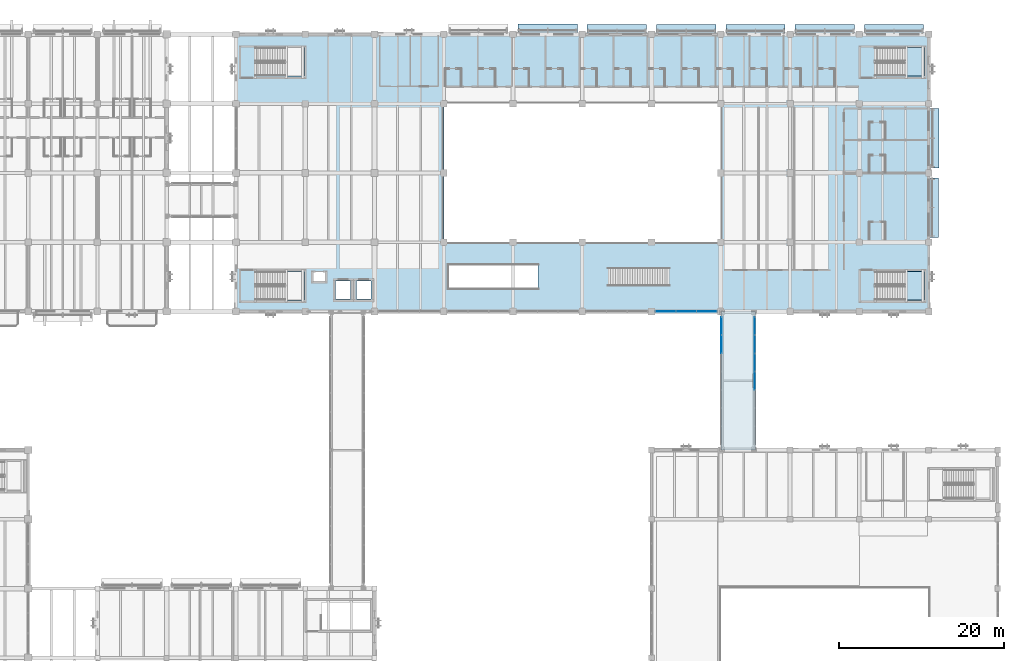
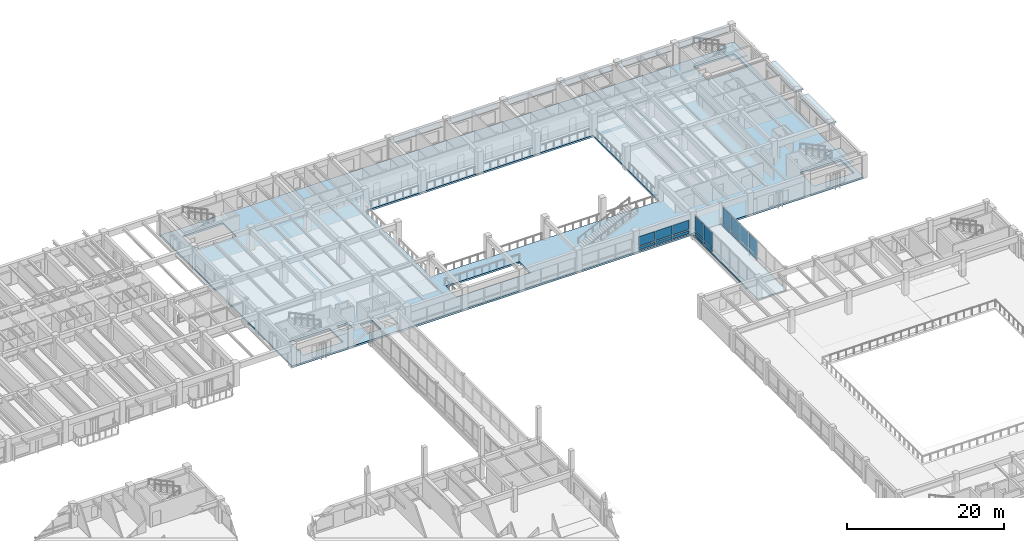
# One storey, part 58 of 118: 26 plates, 4 slabs, 13 elements without a shape of their own.
"""IFC4 building model written with IfcOpenShell, lengths in metres."""

from ifc_helpers import new_model, si_unit, direction, frame, origin, origin_2d, place, context, subcontext, project, spatial, polyline, rectangle, outline, extrude, material, layer, layer_set, type_object, element, aggregate, save


model = new_model("IFC4")

# Units and contexts
model_context = context("Model", 3, precision=1e-05, world=origin(), true_north=direction((0.0, 1.0)))
body_context = subcontext(model_context, "Body", "Model", "MODEL_VIEW")
ifc_project = project(units=[si_unit("LENGTHUNIT", "METRE"), si_unit("AREAUNIT", "SQUARE_METRE"), si_unit("VOLUMEUNIT", "CUBIC_METRE"), si_unit("PLANEANGLEUNIT", "RADIAN"), si_unit("MASSUNIT", "GRAM", prefix="KILO")], contexts=[model_context])

# Site, building, storey
site_placement = place(None, origin())
site = spatial("IfcSite", under=ifc_project, at=site_placement, CompositionType="ELEMENT")
building_placement = place(site_placement, origin())
building = spatial("IfcBuilding", under=site, at=building_placement, Name="Cumbredor Promenade Congress Hotel", CompositionType="ELEMENT")
storey_placement = place(building_placement, frame((0.0, 0.0, 3.919921875)))
storey = spatial("IfcBuildingStorey", under=building, at=storey_placement, Name="L01", CompositionType="ELEMENT", Elevation=3.919921875)

# Stair, slab
ifc_material_1 = material(Name="Concrete C40/50", Category="concrete")
stair_type = type_object("IfcStairType", Name="Protected Dog-Leg Exit Stair ST-T3 1650mm", PredefinedType="HALF_TURN_STAIR", material=ifc_material_1)
stair_1_placement = place(storey_placement, origin())
stair_1 = element("IfcStair", 1, at=stair_1_placement, inside=storey, type_object=stair_type, Name="L01 Protected Exit Stair ST-14", PredefinedType="HALF_TURN_STAIR")
ifc_layer_1 = layer(ifc_material_1, 0.199951171875, Name="Concrete C40/50", Category="concrete")
ifc_layer_set_1 = layer_set([ifc_layer_1], Name="Concrete C40/50")
slab_type_1 = type_object("IfcSlabType", Name="Concrete Stair Landing Slab 200mm", PredefinedType="LANDING", material=ifc_layer_set_1)
slab_1_placement = place(storey_placement, frame((0.0, 0.0, 1.6201171875)))
slab_1 = element("IfcSlab", 2, at=slab_1_placement, type_object=slab_type_1, Name="ST-14 landing 1", PredefinedType="LANDING", context=body_context, shape_type="SweptSolid", body=[
    extrude(outline(polyline([(173.52001953125, 85.39990234375), (175.820068359375, 85.39990234375), (175.820068359375, 88.85009765625), (173.52001953125, 88.85009765625), (173.52001953125, 85.39990234375)])), origin(), (0.0, 0.0, 1.0), 0.199951171875),
])
aggregate(stair_1, [slab_1])

stair_2_placement = place(storey_placement, origin())
stair_2 = element("IfcStair", 3, at=stair_2_placement, inside=storey, type_object=stair_type, Name="L01 Protected Exit Stair ST-16", PredefinedType="HALF_TURN_STAIR")
slab_2_placement = place(storey_placement, frame((0.0, 0.0, 1.6201171875)))
slab_2 = element("IfcSlab", 4, at=slab_2_placement, type_object=slab_type_1, Name="ST-16 landing 1", PredefinedType="LANDING", context=body_context, shape_type="SweptSolid", body=[
    extrude(outline(polyline([(173.52001953125, 112.550048828125), (175.820068359375, 112.550048828125), (175.820068359375, 116.0), (173.52001953125, 116.0), (173.52001953125, 112.550048828125)])), origin(), (0.0, 0.0, 1.0), 0.199951171875),
])
aggregate(stair_2, [slab_2])

# Curtain wall, plates
ifc_material_2 = material(Name="Thermally broken anodized aluminium and low-E glass", Category="aluminium")
curtain_wall_type_1 = type_object("IfcCurtainWallType", Name="Unitised Bridge Glazing Screen CW-05", PredefinedType="NOTDEFINED", material=ifc_material_2)
curtain_wall_1_placement = place(storey_placement, origin())
curtain_wall_1 = element("IfcCurtainWall", 5, at=curtain_wall_1_placement, inside=storey, type_object=curtain_wall_type_1, Name="L01 East Ballroom-to-Forum Glazed Bridge West Glazing Screen", PredefinedType="NOTDEFINED")
ifc_material_3 = material(Name="Laminated low-E solar-control glass", Category="glass")
ifc_layer_2 = layer(ifc_material_3, 0.030029296875, Name="Laminated low-E solar-control glass", Category="glass")
ifc_layer_set_2 = layer_set([ifc_layer_2], Name="Laminated low-E solar-control glass")
plate_type_1 = type_object("IfcPlateType", Name="Glazed Bridge Panel PNL-04", PredefinedType="CURTAIN_PANEL", material=ifc_layer_set_2)
plate_1_placement = place(storey_placement, frame((151.280029296875, 80.02294921875, 0.78515625), z_axis=(0.0, 0.0, 1.0), x_axis=(0.0, 1.0, 0.0)))
plate_1 = element("IfcPlate", 6, at=plate_1_placement, type_object=plate_type_1, Name="L01 East Ballroom-to-Forum Glazed Bridge West Glazing Screen Glazing Panel 6.2", PredefinedType="CURTAIN_PANEL", context=body_context, shape_type="SweptSolid", body=[
    extrude(rectangle(XDim=2.146484375, YDim=0.030029296875, at=origin_2d()), origin(), (0.0, 0.0, 1.0), 2.340087890625),
])
plate_2_placement = place(storey_placement, frame((151.280029296875, 82.234375, 0.78515625), z_axis=(0.0, 0.0, 1.0), x_axis=(0.0, 1.0, 0.0)))
plate_2 = element("IfcPlate", 7, at=plate_2_placement, type_object=plate_type_1, Name="L01 East Ballroom-to-Forum Glazed Bridge West Glazing Screen Glazing Panel 7.2", PredefinedType="CURTAIN_PANEL", context=body_context, shape_type="SweptSolid", body=[
    extrude(rectangle(XDim=2.146484375, YDim=0.030029296875, at=origin_2d()), origin(), (0.0, 0.0, 1.0), 2.340087890625),
])

curtain_wall_2_placement = place(storey_placement, origin())
curtain_wall_2 = element("IfcCurtainWall", 8, at=curtain_wall_2_placement, inside=storey, type_object=curtain_wall_type_1, Name="L01 East Ballroom-to-Forum Glazed Bridge East Glazing Screen", PredefinedType="NOTDEFINED")
plate_3_placement = place(storey_placement, frame((155.320068359375, 75.60009765625, 0.78515625), z_axis=(0.0, 0.0, 1.0), x_axis=(0.0, 1.0, 0.0)))
plate_3 = element("IfcPlate", 9, at=plate_3_placement, type_object=plate_type_1, Name="L01 East Ballroom-to-Forum Glazed Bridge East Glazing Screen Glazing Panel 4.2", PredefinedType="CURTAIN_PANEL", context=body_context, shape_type="SweptSolid", body=[
    extrude(rectangle(XDim=2.146484375, YDim=0.030029296875, at=origin_2d()), origin(), (0.0, 0.0, 1.0), 2.340087890625),
])
plate_4_placement = place(storey_placement, frame((155.320068359375, 77.811279296875, 0.78515625), z_axis=(0.0, 0.0, 1.0), x_axis=(0.0, 1.0, 0.0)))
plate_4 = element("IfcPlate", 10, at=plate_4_placement, type_object=plate_type_1, Name="L01 East Ballroom-to-Forum Glazed Bridge East Glazing Screen Glazing Panel 5.2", PredefinedType="CURTAIN_PANEL", context=body_context, shape_type="SweptSolid", body=[
    extrude(rectangle(XDim=2.146484375, YDim=0.030029296875, at=origin_2d()), origin(), (0.0, 0.0, 1.0), 2.340087890625),
])
plate_5_placement = place(storey_placement, frame((155.320068359375, 80.02294921875, 0.78515625), z_axis=(0.0, 0.0, 1.0), x_axis=(0.0, 1.0, 0.0)))
plate_5 = element("IfcPlate", 11, at=plate_5_placement, type_object=plate_type_1, Name="L01 East Ballroom-to-Forum Glazed Bridge East Glazing Screen Glazing Panel 6.2", PredefinedType="CURTAIN_PANEL", context=body_context, shape_type="SweptSolid", body=[
    extrude(rectangle(XDim=2.146484375, YDim=0.030029296875, at=origin_2d()), origin(), (0.0, 0.0, 1.0), 2.340087890625),
])
plate_6_placement = place(storey_placement, frame((155.320068359375, 82.234375, 0.78515625), z_axis=(0.0, 0.0, 1.0), x_axis=(0.0, 1.0, 0.0)))
plate_6 = element("IfcPlate", 12, at=plate_6_placement, type_object=plate_type_1, Name="L01 East Ballroom-to-Forum Glazed Bridge East Glazing Screen Glazing Panel 7.2", PredefinedType="CURTAIN_PANEL", context=body_context, shape_type="SweptSolid", body=[
    extrude(rectangle(XDim=2.146484375, YDim=0.030029296875, at=origin_2d()), origin(), (0.0, 0.0, 1.0), 2.340087890625),
])

curtain_wall_type_2 = type_object("IfcCurtainWallType", Name="Unitised Forum Curtain Wall CW-02", PredefinedType="NOTDEFINED", material=ifc_material_2)
curtain_wall_3_placement = place(storey_placement, origin())
curtain_wall_3 = element("IfcCurtainWall", 13, at=curtain_wall_3_placement, inside=storey, type_object=curtain_wall_type_2, Name="L01 Pre-Function and Breakout Meeting Forum South Curtain Wall 7", PredefinedType="NOTDEFINED")
ifc_layer_3 = layer(ifc_material_3, 0.028076171875, Name="Laminated low-E solar-control glass", Category="glass")
ifc_layer_set_3 = layer_set([ifc_layer_3], Name="Laminated low-E solar-control glass")
plate_type_2 = type_object("IfcPlateType", Name="Glazed Vision Panel PNL-03", PredefinedType="CURTAIN_PANEL", material=ifc_layer_set_3)
plate_7_placement = place(storey_placement, frame((144.50341796875, 84.0, 0.81005859375), z_axis=(0.0, 0.0, 1.0), x_axis=(1.0, 0.0, 0.0)))
plate_7 = element("IfcPlate", 14, at=plate_7_placement, type_object=plate_type_2, Name="L01 Pre-Function and Breakout Meeting Forum South Curtain Wall 7 Glazing Panel 1.2", PredefinedType="CURTAIN_PANEL", context=body_context, shape_type="SweptSolid", body=[
    extrude(rectangle(XDim=2.416748046875, YDim=0.028076171875, at=origin_2d()), origin(), (0.0, 0.0, 1.0), 1.4599609375),
])
plate_8_placement = place(storey_placement, frame((147.0, 84.0, 0.81005859375), z_axis=(0.0, 0.0, 1.0), x_axis=(1.0, 0.0, 0.0)))
plate_8 = element("IfcPlate", 15, at=plate_8_placement, type_object=plate_type_2, Name="L01 Pre-Function and Breakout Meeting Forum South Curtain Wall 7 Glazing Panel 2.2", PredefinedType="CURTAIN_PANEL", context=body_context, shape_type="SweptSolid", body=[
    extrude(rectangle(XDim=2.41650390625, YDim=0.028076171875, at=origin_2d()), origin(), (0.0, 0.0, 1.0), 1.4599609375),
])
plate_9_placement = place(storey_placement, frame((149.49658203125, 84.0, 0.81005859375), z_axis=(0.0, 0.0, 1.0), x_axis=(1.0, 0.0, 0.0)))
plate_9 = element("IfcPlate", 16, at=plate_9_placement, type_object=plate_type_2, Name="L01 Pre-Function and Breakout Meeting Forum South Curtain Wall 7 Glazing Panel 3.2", PredefinedType="CURTAIN_PANEL", context=body_context, shape_type="SweptSolid", body=[
    extrude(rectangle(XDim=2.416748046875, YDim=0.028076171875, at=origin_2d()), origin(), (0.0, 0.0, 1.0), 1.4599609375),
])

# Curtain wall, plate
curtain_wall_type_3 = type_object("IfcCurtainWallType", Name="Solar Brise-Soleil Screen Assembly CW-07", PredefinedType="NOTDEFINED", material=ifc_material_2)
curtain_wall_4_placement = place(storey_placement, origin())
curtain_wall_4 = element("IfcCurtainWall", 17, at=curtain_wall_4_placement, inside=storey, type_object=curtain_wall_type_3, Name="L01 Hospitality Brise-Soleil Screen 009", PredefinedType="NOTDEFINED")
ifc_material_4 = material(Name="Precast concrete C40/50", Category="concrete")
ifc_layer_4 = layer(ifc_material_4, 0.14501953125, Name="Precast concrete C40/50", Category="concrete")
ifc_layer_set_4 = layer_set([ifc_layer_4], Name="Precast concrete C40/50")
plate_type_3 = type_object("IfcPlateType", Name="Horizontal Precast Sun-Hood Eyebrow Plate 145mm", PredefinedType="USERDEFINED", material=ifc_layer_set_4)
plate_10_placement = place(storey_placement, frame((130.199951171875, 118.197509765625, 2.28515625), z_axis=(0.0, 0.0, 1.0), x_axis=(1.0, 0.0, 0.0)))
plate_10 = element("IfcPlate", 18, at=plate_10_placement, type_object=plate_type_3, Name="L01 Horizontal Sun-Hood Eyebrow 009", ObjectType="SUN HOOD", PredefinedType="USERDEFINED", context=body_context, shape_type="SweptSolid", body=[
    extrude(rectangle(XDim=7.197998046875, YDim=1.35498046875, at=origin_2d()), origin(), (0.0, 0.0, 1.0), 0.14501953125),
])
aggregate(curtain_wall_4, [plate_10])

curtain_wall_5_placement = place(storey_placement, origin())
curtain_wall_5 = element("IfcCurtainWall", 19, at=curtain_wall_5_placement, inside=storey, type_object=curtain_wall_type_3, Name="L01 Hospitality Brise-Soleil Screen 010", PredefinedType="NOTDEFINED")
plate_11_placement = place(storey_placement, frame((138.60009765625, 118.14990234375, 2.28515625), z_axis=(0.0, 0.0, 1.0), x_axis=(1.0, 0.0, 0.0)))
plate_11 = element("IfcPlate", 20, at=plate_11_placement, type_object=plate_type_3, Name="L01 Horizontal Sun-Hood Eyebrow 010", ObjectType="SUN HOOD", PredefinedType="USERDEFINED", context=body_context, shape_type="SweptSolid", body=[
    extrude(rectangle(XDim=7.197998046875, YDim=1.260009765625, at=origin_2d()), origin(), (0.0, 0.0, 1.0), 0.14501953125),
])
aggregate(curtain_wall_5, [plate_11])

curtain_wall_6_placement = place(storey_placement, origin())
curtain_wall_6 = element("IfcCurtainWall", 21, at=curtain_wall_6_placement, inside=storey, type_object=curtain_wall_type_3, Name="L01 Hospitality Brise-Soleil Screen 011", PredefinedType="NOTDEFINED")
plate_12_placement = place(storey_placement, frame((147.0, 118.155029296875, 2.28515625), z_axis=(0.0, 0.0, 1.0), x_axis=(1.0, 0.0, 0.0)))
plate_12 = element("IfcPlate", 22, at=plate_12_placement, type_object=plate_type_3, Name="L01 Horizontal Sun-Hood Eyebrow 011", ObjectType="SUN HOOD", PredefinedType="USERDEFINED", context=body_context, shape_type="SweptSolid", body=[
    extrude(rectangle(XDim=7.197998046875, YDim=1.27001953125, at=origin_2d()), origin(), (0.0, 0.0, 1.0), 0.14501953125),
])
aggregate(curtain_wall_6, [plate_12])

curtain_wall_7_placement = place(storey_placement, origin())
curtain_wall_7 = element("IfcCurtainWall", 23, at=curtain_wall_7_placement, inside=storey, type_object=curtain_wall_type_3, Name="L01 Hospitality Brise-Soleil Screen 012", PredefinedType="NOTDEFINED")
plate_13_placement = place(storey_placement, frame((155.39990234375, 118.159912109375, 2.28515625), z_axis=(0.0, 0.0, 1.0), x_axis=(1.0, 0.0, 0.0)))
plate_13 = element("IfcPlate", 24, at=plate_13_placement, type_object=plate_type_3, Name="L01 Horizontal Sun-Hood Eyebrow 012", ObjectType="SUN HOOD", PredefinedType="USERDEFINED", context=body_context, shape_type="SweptSolid", body=[
    extrude(rectangle(XDim=7.197998046875, YDim=1.280029296875, at=origin_2d()), origin(), (0.0, 0.0, 1.0), 0.14501953125),
])
aggregate(curtain_wall_7, [plate_13])

curtain_wall_8_placement = place(storey_placement, origin())
curtain_wall_8 = element("IfcCurtainWall", 25, at=curtain_wall_8_placement, inside=storey, type_object=curtain_wall_type_3, Name="L01 Hospitality Brise-Soleil Screen 013", PredefinedType="NOTDEFINED")
plate_14_placement = place(storey_placement, frame((163.800048828125, 118.166259765625, 2.28515625), z_axis=(0.0, 0.0, 1.0), x_axis=(1.0, 0.0, 0.0)))
plate_14 = element("IfcPlate", 26, at=plate_14_placement, type_object=plate_type_3, Name="L01 Horizontal Sun-Hood Eyebrow 013", ObjectType="SUN HOOD", PredefinedType="USERDEFINED", context=body_context, shape_type="SweptSolid", body=[
    extrude(rectangle(XDim=7.197998046875, YDim=1.29248046875, at=origin_2d()), origin(), (0.0, 0.0, 1.0), 0.14501953125),
])
aggregate(curtain_wall_8, [plate_14])

curtain_wall_9_placement = place(storey_placement, origin())
curtain_wall_9 = element("IfcCurtainWall", 27, at=curtain_wall_9_placement, inside=storey, type_object=curtain_wall_type_3, Name="L01 Hospitality Brise-Soleil Screen 014", PredefinedType="NOTDEFINED")
plate_15_placement = place(storey_placement, frame((172.199951171875, 118.172607421875, 2.28515625), z_axis=(0.0, 0.0, 1.0), x_axis=(1.0, 0.0, 0.0)))
plate_15 = element("IfcPlate", 28, at=plate_15_placement, type_object=plate_type_3, Name="L01 Horizontal Sun-Hood Eyebrow 014", ObjectType="SUN HOOD", PredefinedType="USERDEFINED", context=body_context, shape_type="SweptSolid", body=[
    extrude(rectangle(XDim=7.197998046875, YDim=1.304931640625, at=origin_2d()), origin(), (0.0, 0.0, 1.0), 0.14501953125),
])
aggregate(curtain_wall_9, [plate_15])

curtain_wall_10_placement = place(storey_placement, origin())
curtain_wall_10 = element("IfcCurtainWall", 29, at=curtain_wall_10_placement, inside=storey, type_object=curtain_wall_type_3, Name="L01 Hospitality Brise-Soleil Screen 015", PredefinedType="NOTDEFINED")
plate_16_placement = place(storey_placement, frame((176.972412109375, 96.60009765625, 2.573974609375), z_axis=(0.0, 0.0, 1.0), x_axis=(0.0, 1.0, 0.0)))
plate_16 = element("IfcPlate", 30, at=plate_16_placement, type_object=plate_type_3, Name="L01 Horizontal Sun-Hood Eyebrow 015", ObjectType="SUN HOOD", PredefinedType="USERDEFINED", context=body_context, shape_type="SweptSolid", body=[
    extrude(rectangle(XDim=7.197998046875, YDim=1.304931640625, at=origin_2d()), origin(), (0.0, 0.0, 1.0), 0.14501953125),
])
aggregate(curtain_wall_10, [plate_16])

curtain_wall_11_placement = place(storey_placement, origin())
curtain_wall_11 = element("IfcCurtainWall", 31, at=curtain_wall_11_placement, inside=storey, type_object=curtain_wall_type_3, Name="L01 Hospitality Brise-Soleil Screen 016", PredefinedType="NOTDEFINED")
plate_17_placement = place(storey_placement, frame((176.97998046875, 105.0, 2.573974609375), z_axis=(0.0, 0.0, 1.0), x_axis=(0.0, 1.0, 0.0)))
plate_17 = element("IfcPlate", 32, at=plate_17_placement, type_object=plate_type_3, Name="L01 Horizontal Sun-Hood Eyebrow 016", ObjectType="SUN HOOD", PredefinedType="USERDEFINED", context=body_context, shape_type="SweptSolid", body=[
    extrude(rectangle(XDim=7.197998046875, YDim=1.320068359375, at=origin_2d()), origin(), (0.0, 0.0, 1.0), 0.14501953125),
])
aggregate(curtain_wall_11, [plate_17])

# Plate
ifc_material_5 = material(Name="Thermally broken anodized aluminium", Category="aluminium")
ifc_layer_5 = layer(ifc_material_5, 0.0400390625, Name="Thermally broken anodized aluminium", Category="aluminium")
ifc_layer_set_5 = layer_set([ifc_layer_5], Name="Thermally broken anodized aluminium")
plate_type_4 = type_object("IfcPlateType", Name="Insulated Spandrel Panel PNL-06", PredefinedType="CURTAIN_PANEL", material=ifc_layer_set_5)
plate_18_placement = place(storey_placement, frame((144.50341796875, 84.0, 0.18017578125), z_axis=(0.0, 0.0, 1.0), x_axis=(1.0, 0.0, 0.0)))
plate_18 = element("IfcPlate", 33, at=plate_18_placement, type_object=plate_type_4, Name="L01 Pre-Function and Breakout Meeting Forum South Curtain Wall 7 Spandrel Panel 1.1", PredefinedType="CURTAIN_PANEL", context=body_context, shape_type="SweptSolid", body=[
    extrude(rectangle(XDim=2.416748046875, YDim=0.0400390625, at=origin_2d()), origin(), (0.0, 0.0, 1.0), 0.449951171875),
])

plate_19_placement = place(storey_placement, frame((147.0, 84.0, 0.18017578125), z_axis=(0.0, 0.0, 1.0), x_axis=(1.0, 0.0, 0.0)))
plate_19 = element("IfcPlate", 34, at=plate_19_placement, type_object=plate_type_4, Name="L01 Pre-Function and Breakout Meeting Forum South Curtain Wall 7 Spandrel Panel 2.1", PredefinedType="CURTAIN_PANEL", context=body_context, shape_type="SweptSolid", body=[
    extrude(rectangle(XDim=2.41650390625, YDim=0.0400390625, at=origin_2d()), origin(), (0.0, 0.0, 1.0), 0.449951171875),
])

plate_20_placement = place(storey_placement, frame((149.49658203125, 84.0, 0.18017578125), z_axis=(0.0, 0.0, 1.0), x_axis=(1.0, 0.0, 0.0)))
plate_20 = element("IfcPlate", 35, at=plate_20_placement, type_object=plate_type_4, Name="L01 Pre-Function and Breakout Meeting Forum South Curtain Wall 7 Spandrel Panel 3.1", PredefinedType="CURTAIN_PANEL", context=body_context, shape_type="SweptSolid", body=[
    extrude(rectangle(XDim=2.416748046875, YDim=0.0400390625, at=origin_2d()), origin(), (0.0, 0.0, 1.0), 0.449951171875),
])

aggregate(curtain_wall_3, [plate_18, plate_7, plate_19, plate_8, plate_20, plate_9])

plate_21_placement = place(storey_placement, frame((151.280029296875, 80.02294921875, 0.125), z_axis=(0.0, 0.0, 1.0), x_axis=(0.0, 1.0, 0.0)))
plate_21 = element("IfcPlate", 36, at=plate_21_placement, type_object=plate_type_4, Name="L01 East Ballroom-to-Forum Glazed Bridge West Glazing Screen Spandrel Panel 6.1", PredefinedType="CURTAIN_PANEL", context=body_context, shape_type="SweptSolid", body=[
    extrude(rectangle(XDim=2.146484375, YDim=0.0400390625, at=origin_2d()), origin(), (0.0, 0.0, 1.0), 0.530029296875),
])

plate_22_placement = place(storey_placement, frame((151.280029296875, 82.234375, 0.125), z_axis=(0.0, 0.0, 1.0), x_axis=(0.0, 1.0, 0.0)))
plate_22 = element("IfcPlate", 37, at=plate_22_placement, type_object=plate_type_4, Name="L01 East Ballroom-to-Forum Glazed Bridge West Glazing Screen Spandrel Panel 7.1", PredefinedType="CURTAIN_PANEL", context=body_context, shape_type="SweptSolid", body=[
    extrude(rectangle(XDim=2.146484375, YDim=0.0400390625, at=origin_2d()), origin(), (0.0, 0.0, 1.0), 0.530029296875),
])

aggregate(curtain_wall_1, [plate_21, plate_1, plate_22, plate_2])

plate_23_placement = place(storey_placement, frame((155.320068359375, 75.60009765625, 0.125), z_axis=(0.0, 0.0, 1.0), x_axis=(0.0, 1.0, 0.0)))
plate_23 = element("IfcPlate", 38, at=plate_23_placement, type_object=plate_type_4, Name="L01 East Ballroom-to-Forum Glazed Bridge East Glazing Screen Spandrel Panel 4.1", PredefinedType="CURTAIN_PANEL", context=body_context, shape_type="SweptSolid", body=[
    extrude(rectangle(XDim=2.146484375, YDim=0.0400390625, at=origin_2d()), origin(), (0.0, 0.0, 1.0), 0.530029296875),
])

plate_24_placement = place(storey_placement, frame((155.320068359375, 77.811279296875, 0.125), z_axis=(0.0, 0.0, 1.0), x_axis=(0.0, 1.0, 0.0)))
plate_24 = element("IfcPlate", 39, at=plate_24_placement, type_object=plate_type_4, Name="L01 East Ballroom-to-Forum Glazed Bridge East Glazing Screen Spandrel Panel 5.1", PredefinedType="CURTAIN_PANEL", context=body_context, shape_type="SweptSolid", body=[
    extrude(rectangle(XDim=2.146484375, YDim=0.0400390625, at=origin_2d()), origin(), (0.0, 0.0, 1.0), 0.530029296875),
])

plate_25_placement = place(storey_placement, frame((155.320068359375, 80.02294921875, 0.125), z_axis=(0.0, 0.0, 1.0), x_axis=(0.0, 1.0, 0.0)))
plate_25 = element("IfcPlate", 40, at=plate_25_placement, type_object=plate_type_4, Name="L01 East Ballroom-to-Forum Glazed Bridge East Glazing Screen Spandrel Panel 6.1", PredefinedType="CURTAIN_PANEL", context=body_context, shape_type="SweptSolid", body=[
    extrude(rectangle(XDim=2.146484375, YDim=0.0400390625, at=origin_2d()), origin(), (0.0, 0.0, 1.0), 0.530029296875),
])

plate_26_placement = place(storey_placement, frame((155.320068359375, 82.234375, 0.125), z_axis=(0.0, 0.0, 1.0), x_axis=(0.0, 1.0, 0.0)))
plate_26 = element("IfcPlate", 41, at=plate_26_placement, type_object=plate_type_4, Name="L01 East Ballroom-to-Forum Glazed Bridge East Glazing Screen Spandrel Panel 7.1", PredefinedType="CURTAIN_PANEL", context=body_context, shape_type="SweptSolid", body=[
    extrude(rectangle(XDim=2.146484375, YDim=0.0400390625, at=origin_2d()), origin(), (0.0, 0.0, 1.0), 0.530029296875),
])

aggregate(curtain_wall_2, [plate_23, plate_3, plate_24, plate_4, plate_25, plate_5, plate_26, plate_6])

# Slabs
ifc_layer_6 = layer(ifc_material_1, 0.219970703125, Name="Concrete C40/50", Category="concrete")
ifc_layer_set_6 = layer_set([ifc_layer_6], Name="Concrete C40/50")
slab_type_2 = type_object("IfcSlabType", Name="Link Bridge Deck Slab 220mm", PredefinedType="FLOOR", material=ifc_layer_set_6)
slab_3_placement = place(storey_placement, frame((0.0, 0.0, -0.219970703125)))
element("IfcSlab", 42, at=slab_3_placement, inside=storey, type_object=slab_type_2, Name="L01 East Ballroom-to-Forum Glazed Bridge Floor Deck", PredefinedType="FLOOR", context=body_context, shape_type="SweptSolid", body=[
    extrude(outline(polyline([(151.199951171875, 67.199951171875), (155.39990234375, 67.199951171875), (155.39990234375, 74.800048828125), (155.050048828125, 74.800048828125), (155.050048828125, 76.39990234375), (155.39990234375, 76.39990234375), (155.39990234375, 84.0), (151.199951171875, 84.0), (151.199951171875, 67.199951171875)])), origin(), (0.0, 0.0, 1.0), 0.219970703125),
])
ifc_layer_7 = layer(ifc_material_1, 0.280029296875, Name="Concrete C40/50", Category="concrete")
ifc_layer_set_7 = layer_set([ifc_layer_7], Name="Concrete C40/50")
slab_type_3 = type_object("IfcSlabType", Name="Podium Floor Slab 280mm", PredefinedType="FLOOR", material=ifc_layer_set_7)
slab_4_placement = place(storey_placement, frame((0.0, 0.0, -0.280029296875)))
element("IfcSlab", 43, at=slab_4_placement, inside=storey, type_object=slab_type_3, Name="L01 Pre-Function and Breakout Meeting Forum Floor Slab", PredefinedType="FLOOR", context=body_context, shape_type="SweptSolid", body=[
    extrude(outline(polyline([(92.39990234375, 84.0), (176.39990234375, 84.0), (176.39990234375, 117.60009765625), (92.39990234375, 117.60009765625), (92.39990234375, 84.0)]), holes=[polyline([(94.75, 85.39990234375), (100.64990234375, 85.39990234375), (100.64990234375, 88.85009765625), (94.75, 88.85009765625), (94.75, 85.39990234375)]), polyline([(169.919921875, 85.39990234375), (175.820068359375, 85.39990234375), (175.820068359375, 88.85009765625), (169.919921875, 88.85009765625), (169.919921875, 85.39990234375)]), polyline([(94.75, 112.550048828125), (100.64990234375, 112.550048828125), (100.64990234375, 116.0), (94.75, 116.0), (94.75, 112.550048828125)]), polyline([(169.919921875, 112.550048828125), (175.820068359375, 112.550048828125), (175.820068359375, 116.0), (169.919921875, 116.0), (169.919921875, 112.550048828125)]), polyline([(104.5, 85.5), (106.300048828125, 85.5), (106.300048828125, 87.699951171875), (104.5, 87.699951171875), (104.5, 85.5)]), polyline([(107.0, 85.5), (108.800048828125, 85.5), (108.800048828125, 87.699951171875), (107.0, 87.699951171875), (107.0, 85.5)]), polyline([(101.699951171875, 87.60009765625), (103.300048828125, 87.60009765625), (103.300048828125, 88.800048828125), (101.699951171875, 88.800048828125), (101.699951171875, 87.60009765625)]), polyline([(118.199951171875, 86.800048828125), (129.0, 86.800048828125), (129.0, 89.60009765625), (118.199951171875, 89.60009765625), (118.199951171875, 86.800048828125)]), polyline([(117.60009765625, 92.39990234375), (151.199951171875, 92.39990234375), (151.199951171875, 109.199951171875), (117.60009765625, 109.199951171875), (117.60009765625, 92.39990234375)])]), origin(), (0.0, 0.0, 1.0), 0.280029296875),
])

save(model, "model.ifc")
